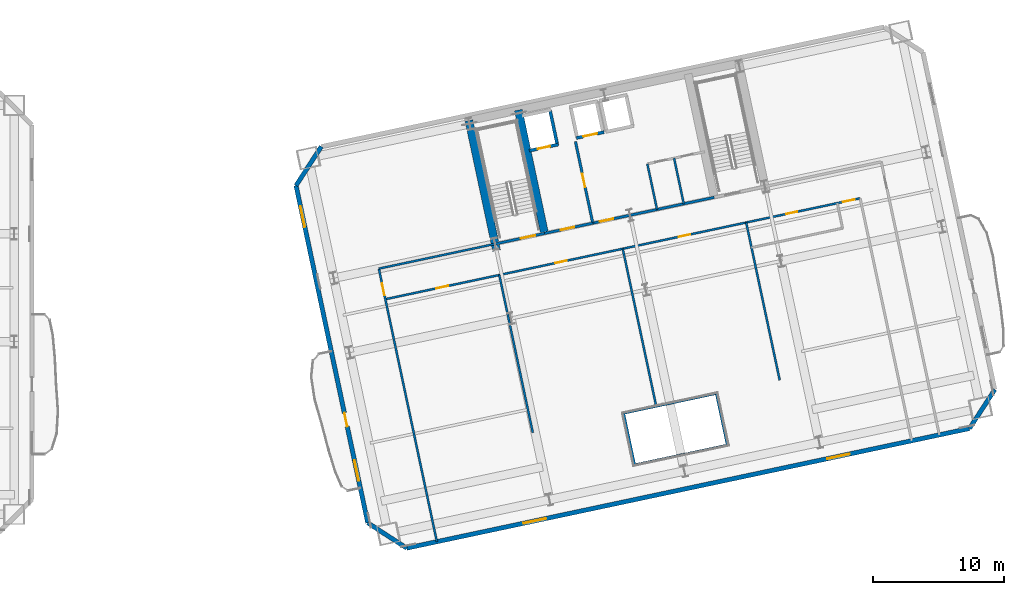
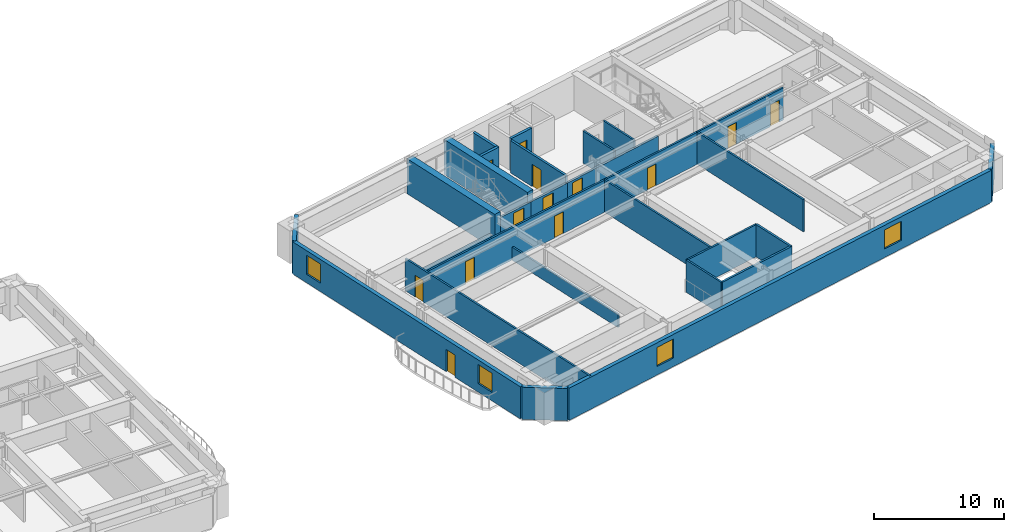
# One storey, part 9 of 18: 26 walls, 13 doors, 4 windows, 17 openings.
"""IFC4 building model written with IfcOpenShell, lengths in metres."""

from ifc_helpers import new_model, si_unit, direction, frame, frame_2d, origin, place, context, subcontext, project, spatial, rectangle, extrude, material, layer, layer_set, type_object, element, fill, save


model = new_model("IFC4")

# Units and contexts
model_context = context("Model", 3, precision=1e-05, world=origin(), true_north=direction((0.0, 1.0)))
body_context = subcontext(model_context, "Body", "Model", "MODEL_VIEW")
ifc_project = project(units=[si_unit("LENGTHUNIT", "METRE"), si_unit("AREAUNIT", "SQUARE_METRE"), si_unit("VOLUMEUNIT", "CUBIC_METRE"), si_unit("PLANEANGLEUNIT", "RADIAN"), si_unit("MASSUNIT", "GRAM", prefix="KILO")], contexts=[model_context])

# Site, building, storey
site_placement = place(None, origin())
site = spatial("IfcSite", under=ifc_project, at=site_placement, CompositionType="ELEMENT")
building_placement = place(site_placement, origin())
building = spatial("IfcBuilding", under=site, at=building_placement, Name="Haevon Station Towers", CompositionType="ELEMENT")
storey_placement = place(building_placement, frame((0.0, 0.0, 66.89990234375)))
storey = spatial("IfcBuildingStorey", under=building, at=storey_placement, Name="L17", CompositionType="ELEMENT", Elevation=66.89990234375)

# Walls
ifc_material_1 = material(Name="Gypsum board on steel stud", Category="steel")
ifc_layer_1 = layer(ifc_material_1, 0.179931640625)
ifc_layer_set_1 = layer_set([ifc_layer_1], Name="Gypsum board on steel stud")
wall_type_1 = type_object("IfcWallType", Name="WL-ACU180", PredefinedType="PARTITIONING", material=ifc_layer_set_1)
wall_1_placement = place(storey_placement, frame((109.379150390625, 20.634521484375, 0.0), z_axis=(0.0, 0.0, 1.0), x_axis=(0.978144974276, 0.207924046946, 0.0)))
element("IfcWall", 1, at=wall_1_placement, inside=storey, type_object=wall_type_1, Name="WL-T2PT-L17-06", PredefinedType="PARTITIONING", context=body_context, shape_type="SweptSolid", body=[
    extrude(rectangle(XDim=7.2001953125, YDim=0.179931640625, at=frame_2d((3.60009765625, 0.0))), origin(), (0.0, 0.0, 1.0), 3.030029296875),
])
wall_2_placement = place(storey_placement, frame((116.421875, 22.131591796875, 0.0), z_axis=(0.0, 0.0, 1.0), x_axis=(-0.207944891454, 0.978140543132, 0.0)))
element("IfcWall", 2, at=wall_2_placement, inside=storey, type_object=wall_type_1, Name="WL-T2PT-L17-09", PredefinedType="PARTITIONING", context=body_context, shape_type="SweptSolid", body=[
    extrude(rectangle(XDim=4.0, YDim=0.179931640625, at=frame_2d((2.0, 0.0))), origin(), (0.0, 0.0, 1.0), 3.030029296875),
])

# Wall, opening, door
ifc_layer_2 = layer(ifc_material_1, 0.199951171875)
ifc_layer_set_2 = layer_set([ifc_layer_2], Name="Gypsum board on steel stud")
wall_type_2 = type_object("IfcWallType", Name="WL-COR200", PredefinedType="PARTITIONING", material=ifc_layer_set_2)
wall_3_placement = place(storey_placement, frame((98.75244140625, 37.4423828125, 0.0), z_axis=(0.0, 0.0, 1.0), x_axis=(0.978143537786, 0.207930804564, 0.0)))
wall_3 = element("IfcWall", 3, at=wall_3_placement, inside=storey, type_object=wall_type_2, Name="WL-ST-ST3-L17", PredefinedType="PARTITIONING", context=body_context, shape_type="SweptSolid", body=[
    extrude(rectangle(XDim=3.85009765625, YDim=0.199951171875, at=frame_2d((1.925048828125, 0.0))), origin(), (0.0, 0.0, 1.0), 2.330078125),
])
opening_1_placement = place(wall_3_placement, frame((2.0, 0.0, 0.0)))
opening_1 = element("IfcOpeningElement", 4, at=opening_1_placement, cuts=wall_3, Name="Opening DR-ST-ST3-L17", PredefinedType="OPENING", context=body_context, shape_type="SweptSolid", body=[
    extrude(rectangle(XDim=1.1201171875, YDim=2.10009765625, at=frame_2d((0.56005859375, 1.050048828125))), frame((0.0, 0.10986328125, 0.0), z_axis=(0.0, -1.0, 0.0), x_axis=(1.0, 0.0, 0.0)), (0.0, 0.0, 1.0), 0.219970703125),
])
ifc_material_2 = material(Name="Engineered oak timber", Category="wood")
door_type_1 = type_object("IfcDoorType", Name="DR-ST-1120", OperationType="NOTDEFINED", PredefinedType="DOOR", material=ifc_material_2)
door_1_placement = place(opening_1_placement, origin())
door_1 = element("IfcDoor", 5, at=door_1_placement, inside=storey, type_object=door_type_1, Name="L17 Escape Stair ST3 Fire Door", OperationType="SINGLE_SWING_LEFT", OverallHeight=2.10009765625, OverallWidth=1.1201171875, PredefinedType="DOOR", context=body_context, shape_type="SweptSolid", body=[
    extrude(rectangle(XDim=1.1201171875, YDim=2.10009765625, at=frame_2d((0.56005859375, 1.050048828125))), frame((0.0, 0.02490234375, 0.0), z_axis=(0.0, -1.0, 0.0), x_axis=(1.0, 0.0, 0.0)), (0.0, 0.0, 1.0), 0.050048828125),
])
fill(opening_1, door_1)

wall_4_placement = place(storey_placement, frame((106.186279296875, 39.0224609375, 0.0), z_axis=(0.0, 0.0, 1.0), x_axis=(-0.207916691923, 0.978146537703, 0.0)))
wall_4 = element("IfcWall", 6, at=wall_4_placement, inside=storey, type_object=wall_type_2, Name="WL-T2FFL-L17-E", PredefinedType="PARTITIONING", context=body_context, shape_type="SweptSolid", body=[
    extrude(rectangle(XDim=6.35009765625, YDim=0.199951171875, at=frame_2d((3.175048828125, 0.0))), origin(), (0.0, 0.0, 1.0), 3.030029296875),
])
opening_2_placement = place(wall_4_placement, frame((2.800048828125, 0.0, 0.0)))
opening_2 = element("IfcOpeningElement", 7, at=opening_2_placement, cuts=wall_4, Name="Opening DR-T2FFL-L17-E", PredefinedType="OPENING", context=body_context, shape_type="SweptSolid", body=[
    extrude(rectangle(XDim=1.050048828125, YDim=2.10009765625, at=frame_2d((0.52490234375, 1.050048828125))), frame((0.0, 0.10986328125, 0.0), z_axis=(0.0, -1.0, 0.0), x_axis=(1.0, 0.0, 0.0)), (0.0, 0.0, 1.0), 0.219970703125),
])
door_type_2 = type_object("IfcDoorType", Name="DR-FD60-1050", OperationType="NOTDEFINED", PredefinedType="DOOR", material=ifc_material_2)
door_2_placement = place(opening_2_placement, origin())
door_2 = element("IfcDoor", 8, at=door_2_placement, inside=storey, type_object=door_type_2, Name="L17 Tower 2 Firefighting Lift Lobby Door E", OperationType="SINGLE_SWING_LEFT", OverallHeight=2.10009765625, OverallWidth=1.050048828125, PredefinedType="DOOR", context=body_context, shape_type="SweptSolid", body=[
    extrude(rectangle(XDim=1.050048828125, YDim=2.10009765625, at=frame_2d((0.52490234375, 1.050048828125))), frame((0.0, 0.02490234375, 0.0), z_axis=(0.0, -1.0, 0.0), x_axis=(1.0, 0.0, 0.0)), (0.0, 0.0, 1.0), 0.050048828125),
])
fill(opening_2, door_2)

wall_5_placement = place(storey_placement, frame((102.518310546875, 38.242919921875, 0.0), z_axis=(0.0, 0.0, 1.0), x_axis=(0.978153555683, 0.20788367301, 0.0)))
wall_5 = element("IfcWall", 9, at=wall_5_placement, inside=storey, type_object=wall_type_2, Name="WL-T2FFL-L17-S", PredefinedType="PARTITIONING", context=body_context, shape_type="SweptSolid", body=[
    extrude(rectangle(XDim=3.75, YDim=0.199951171875, at=frame_2d((1.875, 0.0))), origin(), (0.0, 0.0, 1.0), 2.330078125),
])
opening_3_placement = place(wall_5_placement, frame((1.25, 0.0, 0.0)))
opening_3 = element("IfcOpeningElement", 10, at=opening_3_placement, cuts=wall_5, Name="Opening DR-T2FFL-L17-S", PredefinedType="OPENING", context=body_context, shape_type="SweptSolid", body=[
    extrude(rectangle(XDim=1.050048828125, YDim=2.10009765625, at=frame_2d((0.52490234375, 1.050048828125))), frame((0.0, 0.10986328125, 0.0), z_axis=(0.0, -1.0, 0.0), x_axis=(1.0, 0.0, 0.0)), (0.0, 0.0, 1.0), 0.219970703125),
])
door_3_placement = place(opening_3_placement, origin())
door_3 = element("IfcDoor", 11, at=door_3_placement, inside=storey, type_object=door_type_2, Name="L17 Tower 2 Firefighting Lift Lobby Door S", OperationType="SINGLE_SWING_RIGHT", OverallHeight=2.10009765625, OverallWidth=1.050048828125, PredefinedType="DOOR", context=body_context, shape_type="SweptSolid", body=[
    extrude(rectangle(XDim=1.050048828125, YDim=2.10009765625, at=frame_2d((0.52490234375, 1.050048828125))), frame((0.0, 0.02490234375, 0.0), z_axis=(0.0, -1.0, 0.0), x_axis=(1.0, 0.0, 0.0)), (0.0, 0.0, 1.0), 0.050048828125),
])
fill(opening_3, door_3)

wall_6_placement = place(storey_placement, frame((106.186279296875, 39.0224609375, 0.0), z_axis=(0.0, 0.0, 1.0), x_axis=(0.978145519981, 0.20792147975, 0.0)))
wall_6 = element("IfcWall", 12, at=wall_6_placement, inside=storey, type_object=wall_type_2, Name="WL-T2CLB-L17", PredefinedType="PARTITIONING", context=body_context, shape_type="SweptSolid", body=[
    extrude(rectangle(XDim=9.449951171875, YDim=0.199951171875, at=frame_2d((4.72509765625, 0.0))), origin(), (0.0, 0.0, 1.0), 2.330078125),
])
opening_4_placement = place(wall_6_placement, frame((0.550048828125, 0.0, 0.0)))
opening_4 = element("IfcOpeningElement", 13, at=opening_4_placement, cuts=wall_6, Name="Opening DR-T2CLB-L17-1", PredefinedType="OPENING", context=body_context, shape_type="SweptSolid", body=[
    extrude(rectangle(XDim=1.050048828125, YDim=2.10009765625, at=frame_2d((0.52490234375, 1.050048828125))), frame((0.0, 0.10986328125, 0.0), z_axis=(0.0, -1.0, 0.0), x_axis=(1.0, 0.0, 0.0)), (0.0, 0.0, 1.0), 0.219970703125),
])
door_4_placement = place(opening_4_placement, origin())
door_4 = element("IfcDoor", 14, at=door_4_placement, inside=storey, type_object=door_type_2, Name="L17 Tower 2 Core Lift Lobby Door 1", OperationType="SINGLE_SWING_LEFT", OverallHeight=2.10009765625, OverallWidth=1.050048828125, PredefinedType="DOOR", context=body_context, shape_type="SweptSolid", body=[
    extrude(rectangle(XDim=1.050048828125, YDim=2.10009765625, at=frame_2d((0.52490234375, 1.050048828125))), frame((0.0, 0.02490234375, 0.0), z_axis=(0.0, -1.0, 0.0), x_axis=(1.0, 0.0, 0.0)), (0.0, 0.0, 1.0), 0.050048828125),
])
fill(opening_4, door_4)

# Walls
ifc_material_3 = material(Name="Concrete C60/75", Category="concrete")
ifc_layer_3 = layer(ifc_material_3, 0.60009765625)
ifc_layer_set_3 = layer_set([ifc_layer_3], Name="Concrete C60/75")
wall_type_3 = type_object("IfcWallType", Name="WL-CR600", PredefinedType="SHEAR", material=ifc_layer_set_3)
wall_7_placement = place(storey_placement, frame((98.8603515625, 36.933837890625, 0.0), z_axis=(0.0, 0.0, 1.0), x_axis=(-0.20790924889, 0.978148119778, 0.0)))
element("IfcWall", 15, at=wall_7_placement, inside=storey, type_object=wall_type_3, Name="WL-T2CR-L17-W", PredefinedType="SHEAR", context=body_context, shape_type="SweptSolid", body=[
    extrude(rectangle(XDim=10.119873046875, YDim=0.60009765625, at=frame_2d((5.06005859375, 0.0))), origin(), (0.0, 0.0, 1.0), 3.300048828125),
])
wall_8_placement = place(storey_placement, frame((102.518310546875, 38.242919921875, 0.0), z_axis=(0.0, 0.0, 1.0), x_axis=(-0.207927495108, 0.978144241295, 0.0)))
element("IfcWall", 16, at=wall_8_placement, inside=storey, type_object=wall_type_3, Name="WL-T2CR-L17-M1", PredefinedType="SHEAR", context=body_context, shape_type="SweptSolid", body=[
    extrude(rectangle(XDim=9.599853515625, YDim=0.60009765625, at=frame_2d((4.7998046875, 0.0))), origin(), (0.0, 0.0, 1.0), 3.300048828125),
])

# Wall, openings, windows
ifc_material_4 = material(Name="Precast concrete C45/55", Category="concrete")
ifc_layer_4 = layer(ifc_material_4, 0.340087890625)
ifc_layer_set_4 = layer_set([ifc_layer_4], Name="Precast concrete C45/55")
wall_type_4 = type_object("IfcWallType", Name="WL-EXT-PIER340", PredefinedType="SOLIDWALL", material=ifc_layer_set_4)
wall_9_placement = place(storey_placement, frame((134.862548828125, 23.39306640625, 0.0), z_axis=(0.0, 0.0, 1.0), x_axis=(-0.978148154167, -0.207909087104, 0.0)))
wall_9 = element("IfcWall", 17, at=wall_9_placement, inside=storey, type_object=wall_type_4, Name="WL-T2-L17-S", PredefinedType="SOLIDWALL", context=body_context, shape_type="SweptSolid", body=[
    extrude(rectangle(XDim=43.800048828125, YDim=0.340087890625, at=frame_2d((21.89990234375, 0.0))), origin(), (0.0, 0.0, 1.0), 3.030029296875),
])
opening_5_placement = place(wall_9_placement, frame((32.9619140625, 0.0, 0.800048828125)))
opening_5 = element("IfcOpeningElement", 18, at=opening_5_placement, cuts=wall_9, Name="Opening WN-P175", PredefinedType="OPENING", context=body_context, shape_type="SweptSolid", body=[
    extrude(rectangle(XDim=1.75, YDim=1.800048828125, at=frame_2d((0.875, 0.89990234375))), frame((0.0, 0.179931640625, 0.0), z_axis=(0.0, -1.0, 0.0), x_axis=(1.0, 0.0, 0.0)), (0.0, 0.0, 1.0), 0.360107421875),
])
opening_6_placement = place(wall_9_placement, frame((9.33056640625, 0.0, 0.800048828125)))
opening_6 = element("IfcOpeningElement", 19, at=opening_6_placement, cuts=wall_9, Name="Opening WN-P175", PredefinedType="OPENING", context=body_context, shape_type="SweptSolid", body=[
    extrude(rectangle(XDim=1.75, YDim=1.800048828125, at=frame_2d((0.875, 0.89990234375))), frame((0.0, 0.179931640625, 0.0), z_axis=(0.0, -1.0, 0.0), x_axis=(1.0, 0.0, 0.0)), (0.0, 0.0, 1.0), 0.360107421875),
])
ifc_material_5 = material(Name="Low-E triple glazing in thermally broken aluminium", Category="aluminium")
window_type_1 = type_object("IfcWindowType", Name="WN-P175", PartitioningType="SINGLE_PANEL", PredefinedType="WINDOW", material=ifc_material_5)
window_1_placement = place(opening_5_placement, origin())
window_1 = element("IfcWindow", 20, at=window_1_placement, inside=storey, type_object=window_type_1, Name="WN-T2-L17-S01", OverallHeight=1.800048828125, OverallWidth=1.75, PartitioningType="SINGLE_PANEL", PredefinedType="WINDOW", context=body_context, shape_type="SweptSolid", body=[
    extrude(rectangle(XDim=1.75, YDim=1.800048828125, at=frame_2d((0.875, 0.89990234375))), frame((0.0, 0.030029296875, 0.0), z_axis=(0.0, -1.0, 0.0), x_axis=(1.0, 0.0, 0.0)), (0.0, 0.0, 1.0), 0.06005859375),
])
fill(opening_5, window_1)
window_2_placement = place(opening_6_placement, origin())
window_2 = element("IfcWindow", 21, at=window_2_placement, inside=storey, type_object=window_type_1, Name="WN-T2-L17-S02", OverallHeight=1.800048828125, OverallWidth=1.75, PartitioningType="SINGLE_PANEL", PredefinedType="WINDOW", context=body_context, shape_type="SweptSolid", body=[
    extrude(rectangle(XDim=1.75, YDim=1.800048828125, at=frame_2d((0.875, 0.89990234375))), frame((0.0, 0.030029296875, 0.0), z_axis=(0.0, -1.0, 0.0), x_axis=(1.0, 0.0, 0.0)), (0.0, 0.0, 1.0), 0.06005859375),
])
fill(opening_6, window_2)

# Wall
wall_10_placement = place(storey_placement, frame((92.01953125, 14.28662109375, 0.0), z_axis=(0.0, 0.0, 1.0), x_axis=(-0.838672309694, 0.544636352948, 0.0)))
element("IfcWall", 22, at=wall_10_placement, inside=storey, type_object=wall_type_4, Name="WL-T2-L17-SWC", PredefinedType="SOLIDWALL", context=body_context, shape_type="SweptSolid", body=[
    extrude(rectangle(XDim=3.535400390625, YDim=0.340087890625, at=frame_2d((1.767578125, 0.0))), origin(), (0.0, 0.0, 1.0), 3.030029296875),
])

# Wall, openings, door, windows
wall_11_placement = place(storey_placement, frame((89.054443359375, 16.212158203125, 0.0), z_axis=(0.0, 0.0, 1.0), x_axis=(-0.207915485254, 0.978146794194, 0.0)))
wall_11 = element("IfcWall", 23, at=wall_11_placement, inside=storey, type_object=wall_type_4, Name="WL-T2-L17-W", PredefinedType="SOLIDWALL", context=body_context, shape_type="SweptSolid", body=[
    extrude(rectangle(XDim=26.25, YDim=0.340087890625, at=frame_2d((13.125, 0.0))), origin(), (0.0, 0.0, 1.0), 3.030029296875),
])
opening_7_placement = place(wall_11_placement, frame((7.5, 0.0, 0.0)))
opening_7 = element("IfcOpeningElement", 24, at=opening_7_placement, cuts=wall_11, Name="Opening DR-T2-SCAL-L17-W", PredefinedType="OPENING", context=body_context, shape_type="SweptSolid", body=[
    extrude(rectangle(XDim=1.050048828125, YDim=2.10009765625, at=frame_2d((0.52490234375, 1.050048828125))), frame((0.0, 0.179931640625, 0.0), z_axis=(0.0, -1.0, 0.0), x_axis=(1.0, 0.0, 0.0)), (0.0, 0.0, 1.0), 0.360107421875),
])
opening_8_placement = place(wall_11_placement, frame((3.26953125, 0.0, 0.800048828125)))
opening_8 = element("IfcOpeningElement", 25, at=opening_8_placement, cuts=wall_11, Name="Opening WN-END160", PredefinedType="OPENING", context=body_context, shape_type="SweptSolid", body=[
    extrude(rectangle(XDim=1.60009765625, YDim=1.800048828125, at=frame_2d((0.800048828125, 0.89990234375))), frame((0.0, 0.179931640625, 0.0), z_axis=(0.0, -1.0, 0.0), x_axis=(1.0, 0.0, 0.0)), (0.0, 0.0, 1.0), 0.360107421875),
])
opening_9_placement = place(wall_11_placement, frame((23.02685546875, 0.0, 0.800048828125)))
opening_9 = element("IfcOpeningElement", 26, at=opening_9_placement, cuts=wall_11, Name="Opening WN-END160", PredefinedType="OPENING", context=body_context, shape_type="SweptSolid", body=[
    extrude(rectangle(XDim=1.60009765625, YDim=1.800048828125, at=frame_2d((0.800048828125, 0.89990234375))), frame((0.0, 0.179931640625, 0.0), z_axis=(0.0, -1.0, 0.0), x_axis=(1.0, 0.0, 0.0)), (0.0, 0.0, 1.0), 0.360107421875),
])
ifc_material_6 = material(Name="Thermally broken anodised aluminium and laminated safety glass", Category="aluminium")
door_type_3 = type_object("IfcDoorType", Name="DR-BALC-1050", OperationType="NOTDEFINED", PredefinedType="DOOR", material=ifc_material_6)
door_5_placement = place(opening_7_placement, origin())
door_5 = element("IfcDoor", 27, at=door_5_placement, inside=storey, type_object=door_type_3, Name="Tower 2 L17 West Scalloped Balcony Door", OperationType="SINGLE_SWING_LEFT", OverallHeight=2.10009765625, OverallWidth=1.050048828125, PredefinedType="DOOR", context=body_context, shape_type="SweptSolid", body=[
    extrude(rectangle(XDim=1.050048828125, YDim=2.10009765625, at=frame_2d((0.52490234375, 1.050048828125))), frame((0.0, 0.02490234375, 0.0), z_axis=(0.0, -1.0, 0.0), x_axis=(1.0, 0.0, 0.0)), (0.0, 0.0, 1.0), 0.050048828125),
])
fill(opening_7, door_5)
window_type_2 = type_object("IfcWindowType", Name="WN-END160", PartitioningType="SINGLE_PANEL", PredefinedType="WINDOW", material=ifc_material_5)
window_3_placement = place(opening_8_placement, origin())
window_3 = element("IfcWindow", 28, at=window_3_placement, inside=storey, type_object=window_type_2, Name="WN-T2-L17-W01", OverallHeight=1.800048828125, OverallWidth=1.60009765625, PartitioningType="SINGLE_PANEL", PredefinedType="WINDOW", context=body_context, shape_type="SweptSolid", body=[
    extrude(rectangle(XDim=1.60009765625, YDim=1.800048828125, at=frame_2d((0.800048828125, 0.89990234375))), frame((0.0, 0.030029296875, 0.0), z_axis=(0.0, -1.0, 0.0), x_axis=(1.0, 0.0, 0.0)), (0.0, 0.0, 1.0), 0.06005859375),
])
fill(opening_8, window_3)
window_4_placement = place(opening_9_placement, origin())
window_4 = element("IfcWindow", 29, at=window_4_placement, inside=storey, type_object=window_type_2, Name="WN-T2-L17-W02", OverallHeight=1.800048828125, OverallWidth=1.60009765625, PartitioningType="SINGLE_PANEL", PredefinedType="WINDOW", context=body_context, shape_type="SweptSolid", body=[
    extrude(rectangle(XDim=1.60009765625, YDim=1.800048828125, at=frame_2d((0.800048828125, 0.89990234375))), frame((0.0, 0.030029296875, 0.0), z_axis=(0.0, -1.0, 0.0), x_axis=(1.0, 0.0, 0.0)), (0.0, 0.0, 1.0), 0.06005859375),
])
fill(opening_9, window_4)

# Walls
wall_12_placement = place(storey_placement, frame((83.5966796875, 41.888427734375, 0.0), z_axis=(0.0, 0.0, 1.0), x_axis=(0.544653380146, 0.838661251934, 0.0)))
element("IfcWall", 30, at=wall_12_placement, inside=storey, type_object=wall_type_4, Name="WL-T2-L17-NWC", PredefinedType="SOLIDWALL", context=body_context, shape_type="SweptSolid", body=[
    extrude(rectangle(XDim=3.535888671875, YDim=0.340087890625, at=frame_2d((1.76806640625, 0.0))), origin(), (0.0, 0.0, 1.0), 3.030029296875),
])
wall_13_placement = place(storey_placement, frame((136.7880859375, 26.358154296875, 0.0), z_axis=(0.0, 0.0, 1.0), x_axis=(-0.544636352948, -0.838672309694, 0.0)))
element("IfcWall", 31, at=wall_13_placement, inside=storey, type_object=wall_type_4, Name="WL-T2-L17-SEC", PredefinedType="SOLIDWALL", context=body_context, shape_type="SweptSolid", body=[
    extrude(rectangle(XDim=3.535400390625, YDim=0.340087890625, at=frame_2d((1.767578125, 0.0))), origin(), (0.0, 0.0, 1.0), 3.030029296875),
])
ifc_layer_5 = layer(ifc_material_1, 0.159912109375)
ifc_layer_set_5 = layer_set([ifc_layer_5], Name="Gypsum board on steel stud")
wall_type_5 = type_object("IfcWallType", Name="WL-PRT160", PredefinedType="PARTITIONING", material=ifc_layer_set_5)
for number, where, z_axis, x_axis, name in (
    (32, (111.076904296875, 40.06201171875, 0.0), (0.0, 0.0, 1.0), (-0.207899058817, 0.978150285663, 0.0), "WL-T2CW-L17-01"),
    (33, (113.111572265625, 40.49462890625, 0.0), (0.0, 0.0, 1.0), (-0.207899058817, 0.978150285663, 0.0), "WL-T2CW-L17-02"),
):
    element("IfcWall", number, at=place(storey_placement, frame(where, z_axis=z_axis, x_axis=x_axis)), inside=storey, type_object=wall_type_5, Name=name, PredefinedType="PARTITIONING", context=body_context, shape_type="SweptSolid", body=[
        extrude(rectangle(XDim=3.550048828125, YDim=0.159912109375, at=frame_2d((1.77490234375, 0.0))), origin(), (0.0, 0.0, 1.0), 3.030029296875),
    ])
wall_14_placement = place(storey_placement, frame((89.900146484375, 35.560791015625, 0.0), z_axis=(0.0, 0.0, 1.0), x_axis=(0.978148085545, 0.207909409948, 0.0)))
element("IfcWall", 34, at=wall_14_placement, inside=storey, type_object=wall_type_5, Name="WL-T2PT-L17-02", PredefinedType="PARTITIONING", context=body_context, shape_type="SweptSolid", body=[
    extrude(rectangle(XDim=9.050048828125, YDim=0.159912109375, at=frame_2d((4.52490234375, 0.0))), origin(), (0.0, 0.0, 1.0), 1.22998046875),
])

# Wall, opening, door
wall_15_placement = place(storey_placement, frame((94.318359375, 14.775146484375, 0.0), z_axis=(0.0, 0.0, 1.0), x_axis=(-0.207915642033, 0.978146760869, 0.0)))
wall_15 = element("IfcWall", 35, at=wall_15_placement, inside=storey, type_object=wall_type_5, Name="WL-T2PT-L17-04", PredefinedType="PARTITIONING", context=body_context, shape_type="SweptSolid", body=[
    extrude(rectangle(XDim=21.25, YDim=0.159912109375, at=frame_2d((10.625, 0.0))), origin(), (0.0, 0.0, 1.0), 3.030029296875),
])
opening_10_placement = place(wall_15_placement, frame((19.18994140625, 0.0, 0.0)))
opening_10 = element("IfcOpeningElement", 36, at=opening_10_placement, cuts=wall_15, Name="Opening DR-WL-T2PT-L17-04-01", PredefinedType="OPENING", context=body_context, shape_type="SweptSolid", body=[
    extrude(rectangle(XDim=0.89990234375, YDim=2.050048828125, at=frame_2d((0.449951171875, 1.02490234375))), frame((0.0, 0.08984375, 0.0), z_axis=(0.0, -1.0, 0.0), x_axis=(1.0, 0.0, 0.0)), (0.0, 0.0, 1.0), 0.179931640625),
])
door_type_4 = type_object("IfcDoorType", Name="DR-INT-900", OperationType="NOTDEFINED", PredefinedType="DOOR", material=ifc_material_2)
door_6_placement = place(opening_10_placement, origin())
door_6 = element("IfcDoor", 37, at=door_6_placement, inside=storey, type_object=door_type_4, Name="L17 Tower 2 Room Door 4-1", OperationType="SINGLE_SWING_LEFT", OverallHeight=2.050048828125, OverallWidth=0.89990234375, PredefinedType="DOOR", context=body_context, shape_type="SweptSolid", body=[
    extrude(rectangle(XDim=0.89990234375, YDim=2.050048828125, at=frame_2d((0.449951171875, 1.02490234375))), frame((0.0, 0.02490234375, 0.0), z_axis=(0.0, -1.0, 0.0), x_axis=(1.0, 0.0, 0.0)), (0.0, 0.0, 1.0), 0.050048828125),
])
fill(opening_10, door_6)

# Walls
wall_16_placement = place(storey_placement, frame((108.54736328125, 24.547119140625, 0.0), z_axis=(0.0, 0.0, 1.0), x_axis=(0.978144974276, 0.207924046946, 0.0)))
element("IfcWall", 38, at=wall_16_placement, inside=storey, type_object=wall_type_5, Name="WL-T2PT-L17-07", PredefinedType="PARTITIONING", context=body_context, shape_type="SweptSolid", body=[
    extrude(rectangle(XDim=7.2001953125, YDim=0.159912109375, at=frame_2d((3.60009765625, 0.0))), origin(), (0.0, 0.0, 1.0), 3.030029296875),
])
wall_17_placement = place(storey_placement, frame((109.379150390625, 20.634521484375, 0.0), z_axis=(0.0, 0.0, 1.0), x_axis=(-0.207944891454, 0.978140543132, 0.0)))
element("IfcWall", 39, at=wall_17_placement, inside=storey, type_object=wall_type_5, Name="WL-T2PT-L17-08", PredefinedType="PARTITIONING", context=body_context, shape_type="SweptSolid", body=[
    extrude(rectangle(XDim=4.0, YDim=0.159912109375, at=frame_2d((2.0, 0.0))), origin(), (0.0, 0.0, 1.0), 3.030029296875),
])
wall_18_placement = place(storey_placement, frame((101.6201171875, 23.07470703125, 0.0), z_axis=(0.0, 0.0, 1.0), x_axis=(-0.207906349531, 0.978148736044, 0.0)))
element("IfcWall", 40, at=wall_18_placement, inside=storey, type_object=wall_type_5, Name="WL-T2PT-L17-10", PredefinedType="PARTITIONING", context=body_context, shape_type="SweptSolid", body=[
    extrude(rectangle(XDim=12.27001953125, YDim=0.159912109375, at=frame_2d((6.135009765625, 0.0))), origin(), (0.0, 0.0, 1.0), 1.22998046875),
])
wall_19_placement = place(storey_placement, frame((111.017333984375, 25.072021484375, 0.0), z_axis=(0.0, 0.0, 1.0), x_axis=(-0.207906349531, 0.978148736044, 0.0)))
element("IfcWall", 41, at=wall_19_placement, inside=storey, type_object=wall_type_5, Name="WL-T2PT-L17-11", PredefinedType="PARTITIONING", context=body_context, shape_type="SweptSolid", body=[
    extrude(rectangle(XDim=12.27001953125, YDim=0.159912109375, at=frame_2d((6.135009765625, 0.0))), origin(), (0.0, 0.0, 1.0), 3.030029296875),
])
wall_20_placement = place(storey_placement, frame((120.414306640625, 27.069580078125, 0.0), z_axis=(0.0, 0.0, 1.0), x_axis=(-0.207910395978, 0.97814787596, 0.0)))
element("IfcWall", 42, at=wall_20_placement, inside=storey, type_object=wall_type_5, Name="WL-T2PT-L17-13", PredefinedType="PARTITIONING", context=body_context, shape_type="SweptSolid", body=[
    extrude(rectangle(XDim=12.269775390625, YDim=0.159912109375, at=frame_2d((6.134765625, 0.0))), origin(), (0.0, 0.0, 1.0), 3.030029296875),
])

# Wall, openings, doors
wall_21_placement = place(storey_placement, frame((90.39501953125, 33.23291015625, 0.0), z_axis=(0.0, 0.0, 1.0), x_axis=(0.97814877431, 0.207906169498, 0.0)))
wall_21 = element("IfcWall", 43, at=wall_21_placement, inside=storey, type_object=wall_type_5, Name="WL-T2PT-L17-17", PredefinedType="PARTITIONING", context=body_context, shape_type="SweptSolid", body=[
    extrude(rectangle(XDim=36.949951171875, YDim=0.159912109375, at=frame_2d((18.47509765625, 0.0))), origin(), (0.0, 0.0, 1.0), 3.030029296875),
])
opening_11_placement = place(wall_21_placement, frame((3.958984375, 0.0, 0.0)))
opening_11 = element("IfcOpeningElement", 44, at=opening_11_placement, cuts=wall_21, Name="Opening DR-WL-T2PT-L17-17-01", PredefinedType="OPENING", context=body_context, shape_type="SweptSolid", body=[
    extrude(rectangle(XDim=0.949951171875, YDim=2.10009765625, at=frame_2d((0.47509765625, 1.050048828125))), frame((0.0, 0.08984375, 0.0), z_axis=(0.0, -1.0, 0.0), x_axis=(1.0, 0.0, 0.0)), (0.0, 0.0, 1.0), 0.179931640625),
])
opening_12_placement = place(wall_21_placement, frame((13.221923828125, 0.0, 0.0)))
opening_12 = element("IfcOpeningElement", 45, at=opening_12_placement, cuts=wall_21, Name="Opening DR-WL-T2PT-L17-17-02", PredefinedType="OPENING", context=body_context, shape_type="SweptSolid", body=[
    extrude(rectangle(XDim=0.89990234375, YDim=2.050048828125, at=frame_2d((0.449951171875, 1.02490234375))), frame((0.0, 0.08984375, 0.0), z_axis=(0.0, -1.0, 0.0), x_axis=(1.0, 0.0, 0.0)), (0.0, 0.0, 1.0), 0.179931640625),
])
opening_13_placement = place(wall_21_placement, frame((22.827880859375, 0.0, 0.0)))
opening_13 = element("IfcOpeningElement", 46, at=opening_13_placement, cuts=wall_21, Name="Opening DR-WL-T2PT-L17-17-03", PredefinedType="OPENING", context=body_context, shape_type="SweptSolid", body=[
    extrude(rectangle(XDim=0.89990234375, YDim=2.050048828125, at=frame_2d((0.449951171875, 1.02490234375))), frame((0.0, 0.08984375, 0.0), z_axis=(0.0, -1.0, 0.0), x_axis=(1.0, 0.0, 0.0)), (0.0, 0.0, 1.0), 0.179931640625),
])
opening_14_placement = place(wall_21_placement, frame((31.200927734375, 0.0, 0.0)))
opening_14 = element("IfcOpeningElement", 47, at=opening_14_placement, cuts=wall_21, Name="Opening DR-WL-T2PT-L17-17-04", PredefinedType="OPENING", context=body_context, shape_type="SweptSolid", body=[
    extrude(rectangle(XDim=0.85009765625, YDim=2.050048828125, at=frame_2d((0.425048828125, 1.02490234375))), frame((0.0, 0.08984375, 0.0), z_axis=(0.0, -1.0, 0.0), x_axis=(1.0, 0.0, 0.0)), (0.0, 0.0, 1.0), 0.179931640625),
])
opening_15_placement = place(wall_21_placement, frame((35.610107421875, 0.0, 0.0)))
opening_15 = element("IfcOpeningElement", 48, at=opening_15_placement, cuts=wall_21, Name="Opening DR-WL-T2PT-L17-17-05", PredefinedType="OPENING", context=body_context, shape_type="SweptSolid", body=[
    extrude(rectangle(XDim=0.89990234375, YDim=2.050048828125, at=frame_2d((0.449951171875, 1.02490234375))), frame((0.0, 0.08984375, 0.0), z_axis=(0.0, -1.0, 0.0), x_axis=(1.0, 0.0, 0.0)), (0.0, 0.0, 1.0), 0.179931640625),
])
door_type_5 = type_object("IfcDoorType", Name="DR-FD30-850", OperationType="NOTDEFINED", PredefinedType="DOOR", material=ifc_material_2)
door_7_placement = place(opening_14_placement, origin())
door_7 = element("IfcDoor", 49, at=door_7_placement, inside=storey, type_object=door_type_5, Name="L17 Tower 2 Room Door 17-4", OperationType="SINGLE_SWING_RIGHT", OverallHeight=2.050048828125, OverallWidth=0.85009765625, PredefinedType="DOOR", context=body_context, shape_type="SweptSolid", body=[
    extrude(rectangle(XDim=0.85009765625, YDim=2.050048828125, at=frame_2d((0.425048828125, 1.02490234375))), frame((0.0, 0.02490234375, 0.0), z_axis=(0.0, -1.0, 0.0), x_axis=(1.0, 0.0, 0.0)), (0.0, 0.0, 1.0), 0.050048828125),
])
fill(opening_14, door_7)
door_type_6 = type_object("IfcDoorType", Name="DR-FD30-950", OperationType="NOTDEFINED", PredefinedType="DOOR", material=ifc_material_2)
door_8_placement = place(opening_11_placement, origin())
door_8 = element("IfcDoor", 50, at=door_8_placement, inside=storey, type_object=door_type_6, Name="L17 Tower 2 Room Door 17-1", OperationType="SINGLE_SWING_LEFT", OverallHeight=2.10009765625, OverallWidth=0.949951171875, PredefinedType="DOOR", context=body_context, shape_type="SweptSolid", body=[
    extrude(rectangle(XDim=0.949951171875, YDim=2.10009765625, at=frame_2d((0.47509765625, 1.050048828125))), frame((0.0, 0.02490234375, 0.0), z_axis=(0.0, -1.0, 0.0), x_axis=(1.0, 0.0, 0.0)), (0.0, 0.0, 1.0), 0.050048828125),
])
fill(opening_11, door_8)
door_9_placement = place(opening_12_placement, origin())
door_9 = element("IfcDoor", 51, at=door_9_placement, inside=storey, type_object=door_type_4, Name="L17 Tower 2 Room Door 17-2", OperationType="SINGLE_SWING_RIGHT", OverallHeight=2.050048828125, OverallWidth=0.89990234375, PredefinedType="DOOR", context=body_context, shape_type="SweptSolid", body=[
    extrude(rectangle(XDim=0.89990234375, YDim=2.050048828125, at=frame_2d((0.449951171875, 1.02490234375))), frame((0.0, 0.02490234375, 0.0), z_axis=(0.0, -1.0, 0.0), x_axis=(1.0, 0.0, 0.0)), (0.0, 0.0, 1.0), 0.050048828125),
])
fill(opening_12, door_9)
door_10_placement = place(opening_13_placement, origin())
door_10 = element("IfcDoor", 52, at=door_10_placement, inside=storey, type_object=door_type_4, Name="L17 Tower 2 Room Door 17-3", OperationType="SINGLE_SWING_LEFT", OverallHeight=2.050048828125, OverallWidth=0.89990234375, PredefinedType="DOOR", context=body_context, shape_type="SweptSolid", body=[
    extrude(rectangle(XDim=0.89990234375, YDim=2.050048828125, at=frame_2d((0.449951171875, 1.02490234375))), frame((0.0, 0.02490234375, 0.0), z_axis=(0.0, -1.0, 0.0), x_axis=(1.0, 0.0, 0.0)), (0.0, 0.0, 1.0), 0.050048828125),
])
fill(opening_13, door_10)
door_11_placement = place(opening_15_placement, origin())
door_11 = element("IfcDoor", 53, at=door_11_placement, inside=storey, type_object=door_type_4, Name="L17 Tower 2 Room Door 17-5", OperationType="SINGLE_SWING_LEFT", OverallHeight=2.050048828125, OverallWidth=0.89990234375, PredefinedType="DOOR", context=body_context, shape_type="SweptSolid", body=[
    extrude(rectangle(XDim=0.89990234375, YDim=2.050048828125, at=frame_2d((0.449951171875, 1.02490234375))), frame((0.0, 0.02490234375, 0.0), z_axis=(0.0, -1.0, 0.0), x_axis=(1.0, 0.0, 0.0)), (0.0, 0.0, 1.0), 0.050048828125),
])
fill(opening_15, door_11)

# Wall, opening, door
ifc_material_7 = material(Name="Concrete C40/50", Category="concrete")
ifc_layer_6 = layer(ifc_material_7, 0.239990234375)
ifc_layer_set_6 = layer_set([ifc_layer_6], Name="Concrete C40/50")
wall_type_6 = type_object("IfcWallType", Name="WL-SHF240", PredefinedType="PARTITIONING", material=ifc_layer_set_6)
wall_22_placement = place(storey_placement, frame((101.353759765625, 44.538330078125, 0.0), z_axis=(0.0, 0.0, 1.0), x_axis=(0.978141002414, 0.207942731049, 0.0)))
wall_22 = element("IfcWall", 54, at=wall_22_placement, inside=storey, type_object=wall_type_6, Name="WL-SHF-FL2-L17", PredefinedType="PARTITIONING", context=body_context, shape_type="SweptSolid", body=[
    extrude(rectangle(XDim=2.260009765625, YDim=0.239990234375, at=frame_2d((1.1298828125, 0.0))), origin(), (0.0, 0.0, 1.0), 3.030029296875),
])
opening_16_placement = place(wall_22_placement, frame((0.655029296875, 0.0, 0.0)))
opening_16 = element("IfcOpeningElement", 55, at=opening_16_placement, cuts=wall_22, Name="Opening LD-FL2-L17", PredefinedType="OPENING", context=body_context, shape_type="SweptSolid", body=[
    extrude(rectangle(XDim=0.949951171875, YDim=2.14990234375, at=frame_2d((0.47509765625, 1.074951171875))), frame((0.0, 0.1298828125, 0.0), z_axis=(0.0, -1.0, 0.0), x_axis=(1.0, 0.0, 0.0)), (0.0, 0.0, 1.0), 0.260009765625),
])
ifc_material_8 = material(Name="Stainless steel and rated core", Category="steel")
door_type_7 = type_object("IfcDoorType", Name="LD-FL950", OperationType="SLIDING_TO_LEFT", PredefinedType="DOOR", material=ifc_material_8)
door_12_placement = place(opening_16_placement, origin())
door_12 = element("IfcDoor", 56, at=door_12_placement, inside=storey, type_object=door_type_7, Name="L17 Lift FL2 Sliding Landing Door", OperationType="SLIDING_TO_LEFT", OverallHeight=2.14990234375, OverallWidth=0.949951171875, PredefinedType="DOOR", context=body_context, shape_type="SweptSolid", body=[
    extrude(rectangle(XDim=0.949951171875, YDim=2.14990234375, at=frame_2d((0.47509765625, 1.074951171875))), frame((0.0, 0.02490234375, 0.0), z_axis=(0.0, -1.0, 0.0), x_axis=(1.0, 0.0, 0.0)), (0.0, 0.0, 1.0), 0.050048828125),
])
fill(opening_16, door_12)

# Wall
wall_23_placement = place(storey_placement, frame((103.486328125, 44.99169921875, 0.0), z_axis=(0.0, 0.0, 1.0), x_axis=(-0.207978798957, 0.978133334052, 0.0)))
element("IfcWall", 57, at=wall_23_placement, inside=storey, type_object=wall_type_6, Name="WL-SHF-FL2-L17-E", PredefinedType="PARTITIONING", context=body_context, shape_type="SweptSolid", body=[
    extrude(rectangle(XDim=2.699951171875, YDim=0.239990234375, at=frame_2d((1.35009765625, 0.0))), origin(), (0.0, 0.0, 1.0), 3.030029296875),
])

# Wall, opening, door
wall_24_placement = place(storey_placement, frame((104.931396484375, 45.503173828125, 0.0), z_axis=(0.0, 0.0, 1.0), x_axis=(0.97813528961, 0.207969601673, 0.0)))
wall_24 = element("IfcWall", 58, at=wall_24_placement, inside=storey, type_object=wall_type_6, Name="WL-SHF-PL7-L17", PredefinedType="PARTITIONING", context=body_context, shape_type="SweptSolid", body=[
    extrude(rectangle(XDim=2.159912109375, YDim=0.239990234375, at=frame_2d((1.080078125, 0.0))), origin(), (0.0, 0.0, 1.0), 3.030029296875),
])
opening_17_placement = place(wall_24_placement, frame((0.554931640625, 0.0, 0.0)))
opening_17 = element("IfcOpeningElement", 59, at=opening_17_placement, cuts=wall_24, Name="Opening LD-PL7-L17", PredefinedType="OPENING", context=body_context, shape_type="SweptSolid", body=[
    extrude(rectangle(XDim=1.050048828125, YDim=2.14990234375, at=frame_2d((0.52490234375, 1.074951171875))), frame((0.0, 0.1298828125, 0.0), z_axis=(0.0, -1.0, 0.0), x_axis=(1.0, 0.0, 0.0)), (0.0, 0.0, 1.0), 0.260009765625),
])
door_type_8 = type_object("IfcDoorType", Name="LD-PL1050", OperationType="SLIDING_TO_LEFT", PredefinedType="DOOR", material=ifc_material_8)
door_13_placement = place(opening_17_placement, origin())
door_13 = element("IfcDoor", 60, at=door_13_placement, inside=storey, type_object=door_type_8, Name="L17 Lift PL7 Sliding Landing Door", OperationType="SLIDING_TO_LEFT", OverallHeight=2.14990234375, OverallWidth=1.050048828125, PredefinedType="DOOR", context=body_context, shape_type="SweptSolid", body=[
    extrude(rectangle(XDim=1.050048828125, YDim=2.14990234375, at=frame_2d((0.52490234375, 1.074951171875))), frame((0.0, 0.02490234375, 0.0), z_axis=(0.0, -1.0, 0.0), x_axis=(1.0, 0.0, 0.0)), (0.0, 0.0, 1.0), 0.050048828125),
])
fill(opening_17, door_13)

save(model, "model.ifc")
